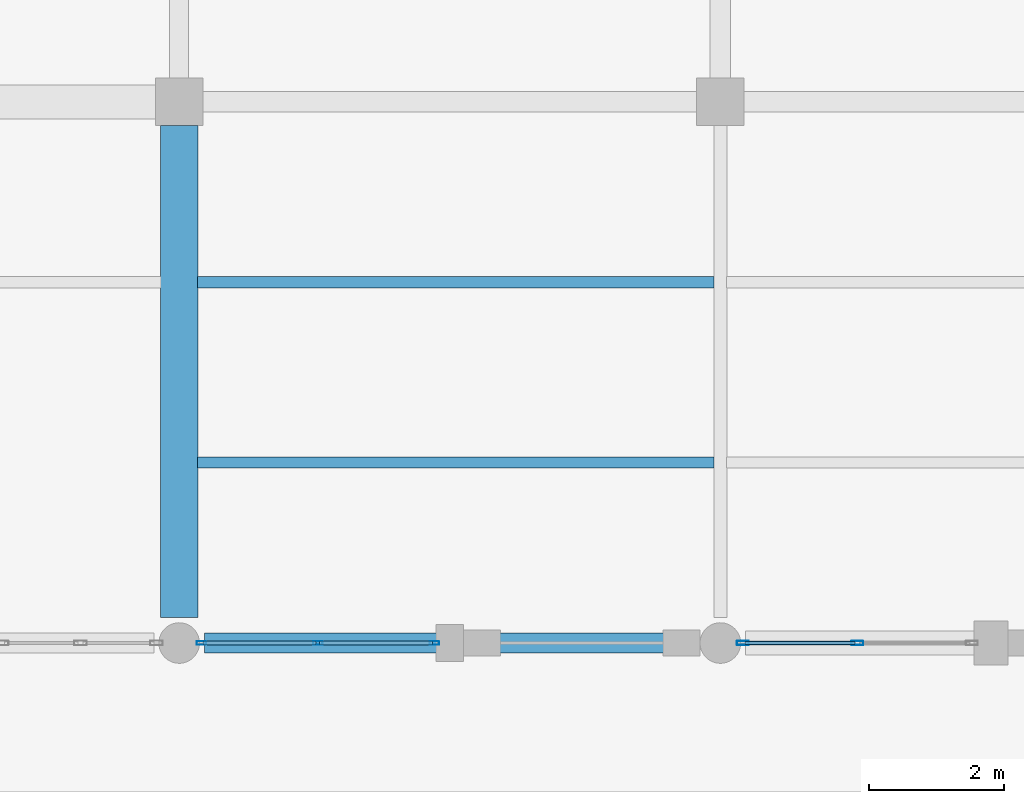
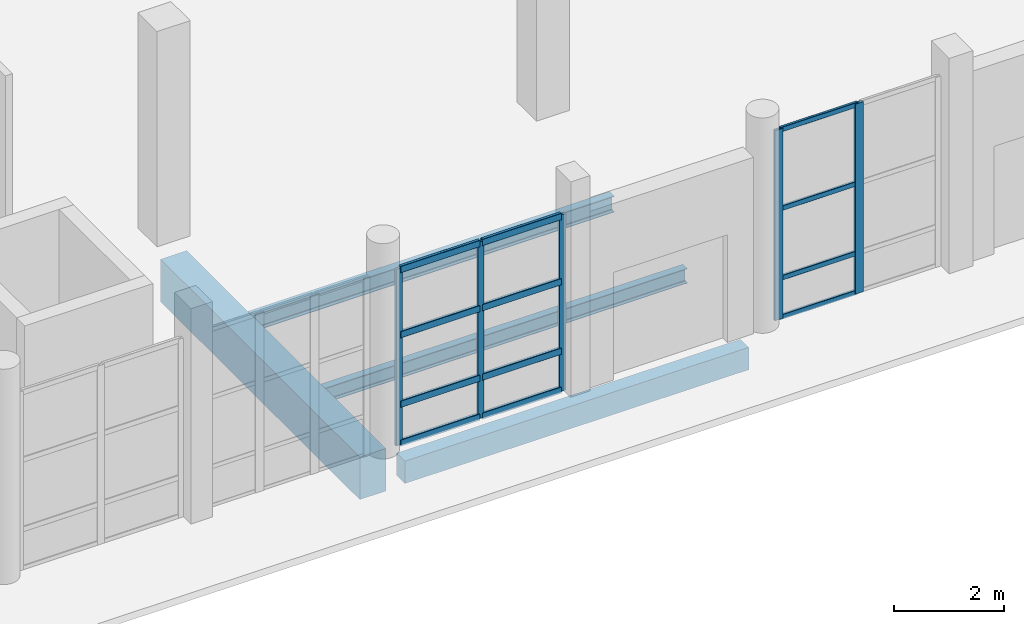
# One storey, part 7 of 156: 17 members, 4 beams, 2 elements without a shape of their own.
"""IFC4 building model written with IfcOpenShell, lengths in metres."""

from ifc_helpers import new_model, si_unit, direction, frame, origin, origin_2d, place, context, subcontext, project, spatial, rectangle, hollow_rectangle, i_section, extrude, material, material_profile, profile_set, type_object, element, aggregate, save


model = new_model("IFC4")

# Units and contexts
model_context = context("Model", 3, precision=1e-05, world=origin(), true_north=direction((0.0, 1.0)))
body_context = subcontext(model_context, "Body", "Model", "MODEL_VIEW")
ifc_project = project(units=[si_unit("LENGTHUNIT", "METRE"), si_unit("AREAUNIT", "SQUARE_METRE"), si_unit("VOLUMEUNIT", "CUBIC_METRE"), si_unit("PLANEANGLEUNIT", "RADIAN"), si_unit("MASSUNIT", "GRAM", prefix="KILO")], contexts=[model_context])

# Site, building, storey
site_placement = place(None, origin())
site = spatial("IfcSite", under=ifc_project, at=site_placement, CompositionType="ELEMENT")
building_placement = place(site_placement, origin())
building = spatial("IfcBuilding", under=site, at=building_placement, Name="Luwemba Playhouse", CompositionType="ELEMENT")
storey_placement = place(building_placement, origin())
storey = spatial("IfcBuildingStorey", under=building, at=storey_placement, Name="L00", CompositionType="ELEMENT", Elevation=0.0)

# Beams
ifc_material_1 = material(Name="Concrete C40/50", Category="concrete")
ifc_material_profile_1 = material_profile(ifc_material_1, rectangle(XDim=0.550048828125, YDim=0.949951171875, at=origin_2d()))
ifc_profile_set_1 = profile_set([ifc_material_profile_1], Name="Concrete C40/50")
beam_type_1 = type_object("IfcBeamType", Name="BM-RB08", PredefinedType="BEAM", material=ifc_profile_set_1)
beam_1_placement = place(storey_placement, frame((20.0, 3.375, -0.77490234375), z_axis=(0.0, 1.0, 0.0), x_axis=(-1.0, 0.0, 0.0)))
element("IfcBeam", 1, at=beam_1_placement, inside=storey, type_object=beam_type_1, Name="L00 transverse girder 0184", PredefinedType="BEAM", context=body_context, shape_type="SweptSolid", body=[
    extrude(rectangle(XDim=0.550048828125, YDim=0.949951171875, at=origin_2d()), origin(), (0.0, 0.0, 1.0), 7.27490234375),
])
ifc_material_2 = material(Name="Steel S355", Category="steel")
ifc_material_profile_2 = material_profile(ifc_material_2, i_section(OverallWidth=0.159912109375, OverallDepth=0.330078125, WebThickness=0.007568359375, FlangeThickness=0.011474609375, FilletRadius=0.01806640625, at=origin_2d()))
ifc_profile_set_2 = profile_set([ifc_material_profile_2], Name="Steel S355")
beam_type_2 = type_object("IfcBeamType", Name="BM-SJ06", PredefinedType="JOIST", material=ifc_profile_set_2)
beam_2_placement = place(storey_placement, frame((20.27099609375, 5.666748046875, -0.465087890625), z_axis=(1.0, 0.0, 0.0), x_axis=(0.0, 1.0, 0.0)))
element("IfcBeam", 2, at=beam_2_placement, inside=storey, type_object=beam_type_2, Name="L00 composite floor joist 0128", PredefinedType="JOIST", context=body_context, shape_type="SweptSolid", body=[
    extrude(i_section(OverallWidth=0.159912109375, OverallDepth=0.330078125, WebThickness=0.007568359375, FlangeThickness=0.011474609375, FilletRadius=0.01806640625, at=origin_2d()), origin(), (0.0, 0.0, 1.0), 7.637939453125),
])
ifc_material_profile_3 = material_profile(ifc_material_2, i_section(OverallWidth=0.169921875, OverallDepth=0.360107421875, WebThickness=0.008056640625, FlangeThickness=0.0126953125, FilletRadius=0.01806640625, at=origin_2d()))
ifc_profile_set_3 = profile_set([ifc_material_profile_3], Name="Steel S355")
beam_type_3 = type_object("IfcBeamType", Name="BM-SJ07", PredefinedType="JOIST", material=ifc_profile_set_3)
beam_3_placement = place(storey_placement, frame((20.27099609375, 8.333251953125, -0.47998046875), z_axis=(1.0, 0.0, 0.0), x_axis=(0.0, 1.0, 0.0)))
element("IfcBeam", 3, at=beam_3_placement, inside=storey, type_object=beam_type_3, Name="L00 composite floor joist 0129", PredefinedType="JOIST", context=body_context, shape_type="SweptSolid", body=[
    extrude(i_section(OverallWidth=0.169921875, OverallDepth=0.360107421875, WebThickness=0.008056640625, FlangeThickness=0.0126953125, FilletRadius=0.01806640625, at=origin_2d()), origin(), (0.0, 0.0, 1.0), 7.637939453125),
])
ifc_material_profile_4 = material_profile(ifc_material_1, rectangle(XDim=0.300048828125, YDim=0.5, at=origin_2d()))
ifc_profile_set_4 = profile_set([ifc_material_profile_4], Name="Concrete C40/50")
beam_type_4 = type_object("IfcBeamType", Name="BM-SP1", PredefinedType="SPANDREL", material=ifc_profile_set_4)
beam_4_placement = place(storey_placement, frame((20.375, 3.0, -0.550048828125), z_axis=(1.0, 0.0, 0.0), x_axis=(0.0, 1.0, 0.0)))
element("IfcBeam", 4, at=beam_4_placement, inside=storey, type_object=beam_type_4, Name="L00 grid girder 0152", PredefinedType="SPANDREL", context=body_context, shape_type="SweptSolid", body=[
    extrude(rectangle(XDim=0.300048828125, YDim=0.5, at=origin_2d()), origin(), (0.0, 0.0, 1.0), 7.25),
])

# Curtain wall, members
ifc_material_3 = material(Name="Solar-control double glazing", Category="glass")
curtain_wall_type_1 = type_object("IfcCurtainWallType", Name="CW-CW29", PredefinedType="USERDEFINED", material=ifc_material_3)
curtain_wall_1_placement = place(storey_placement, origin())
curtain_wall_1 = element("IfcCurtainWall", 5, at=curtain_wall_1_placement, inside=storey, type_object=curtain_wall_type_1, Name="L00 V5W unitised curtain wall 048", ObjectType="UNITISED GLAZING", PredefinedType="USERDEFINED")
ifc_material_4 = material(Name="Aluminium 6063-T6", Category="aluminium")
ifc_material_profile_5 = material_profile(ifc_material_4, hollow_rectangle(XDim=0.06494140625, YDim=0.179931640625, WallThickness=0.00439453125, InnerFilletRadius=0.0068359375, OuterFilletRadius=0.01123046875, at=origin_2d()))
ifc_profile_set_5 = profile_set([ifc_material_profile_5], Name="Aluminium 6063-T6")
member_type_1 = type_object("IfcMemberType", Name="CWM-M2", PredefinedType="MULLION", material=ifc_profile_set_5)
member_1_placement = place(storey_placement, frame((30.02490234375, 3.0, 0.0), z_axis=(0.0, 0.0, 1.0), x_axis=(0.0, -1.0, 0.0)))
member_1 = element("IfcMember", 6, at=member_1_placement, type_object=member_type_1, Name="CW29 mullion 2", PredefinedType="MULLION", context=body_context, shape_type="SweptSolid", body=[
    extrude(hollow_rectangle(XDim=0.06494140625, YDim=0.179931640625, WallThickness=0.00439453125, InnerFilletRadius=0.0068359375, OuterFilletRadius=0.01123046875, at=origin_2d()), origin(), (0.0, 0.0, 1.0), 4.235107421875),
])
member_2_placement = place(storey_placement, frame((28.33251953125, 3.0, 0.0), z_axis=(0.0, 0.0, 1.0), x_axis=(0.0, -1.0, 0.0)))
member_2 = element("IfcMember", 7, at=member_2_placement, type_object=member_type_1, Name="CW29 mullion 3", PredefinedType="MULLION", context=body_context, shape_type="SweptSolid", body=[
    extrude(hollow_rectangle(XDim=0.06494140625, YDim=0.179931640625, WallThickness=0.00439453125, InnerFilletRadius=0.0068359375, OuterFilletRadius=0.01123046875, at=origin_2d()), origin(), (0.0, 0.0, 1.0), 4.235107421875),
])

curtain_wall_type_2 = type_object("IfcCurtainWallType", Name="CW-CW34", PredefinedType="USERDEFINED", material=ifc_material_3)
curtain_wall_2_placement = place(storey_placement, origin())
curtain_wall_2 = element("IfcCurtainWall", 8, at=curtain_wall_2_placement, inside=storey, type_object=curtain_wall_type_2, Name="L00 V5W unitised curtain wall 049", ObjectType="UNITISED GLAZING", PredefinedType="USERDEFINED")
ifc_material_profile_6 = material_profile(ifc_material_4, hollow_rectangle(XDim=0.054931640625, YDim=0.139892578125, WallThickness=0.00390625, InnerFilletRadius=0.006103515625, OuterFilletRadius=0.010009765625, at=origin_2d()))
ifc_profile_set_6 = profile_set([ifc_material_profile_6], Name="Aluminium 6063-T6")
member_type_2 = type_object("IfcMemberType", Name="CWM-M3", PredefinedType="MULLION", material=ifc_profile_set_6)
member_3_placement = place(storey_placement, frame((23.7724609375, 3.0, 0.0), z_axis=(0.0, 0.0, 1.0), x_axis=(0.0, -1.0, 0.0)))
member_3 = element("IfcMember", 9, at=member_3_placement, type_object=member_type_2, Name="CW34 mullion 1", PredefinedType="MULLION", context=body_context, shape_type="SweptSolid", body=[
    extrude(hollow_rectangle(XDim=0.054931640625, YDim=0.139892578125, WallThickness=0.00390625, InnerFilletRadius=0.006103515625, OuterFilletRadius=0.010009765625, at=origin_2d()), origin(), (0.0, 0.0, 1.0), 3.93505859375),
])
member_4_placement = place(storey_placement, frame((22.050048828125, 3.0, 0.0), z_axis=(0.0, 0.0, 1.0), x_axis=(0.0, -1.0, 0.0)))
member_4 = element("IfcMember", 10, at=member_4_placement, type_object=member_type_2, Name="CW34 mullion 2", PredefinedType="MULLION", context=body_context, shape_type="SweptSolid", body=[
    extrude(hollow_rectangle(XDim=0.054931640625, YDim=0.139892578125, WallThickness=0.00390625, InnerFilletRadius=0.006103515625, OuterFilletRadius=0.010009765625, at=origin_2d()), origin(), (0.0, 0.0, 1.0), 3.93505859375),
])
member_5_placement = place(storey_placement, frame((20.327392578125, 3.0, 0.0), z_axis=(0.0, 0.0, 1.0), x_axis=(0.0, -1.0, 0.0)))
member_5 = element("IfcMember", 11, at=member_5_placement, type_object=member_type_2, Name="CW34 mullion 3", PredefinedType="MULLION", context=body_context, shape_type="SweptSolid", body=[
    extrude(hollow_rectangle(XDim=0.054931640625, YDim=0.139892578125, WallThickness=0.00390625, InnerFilletRadius=0.006103515625, OuterFilletRadius=0.010009765625, at=origin_2d()), origin(), (0.0, 0.0, 1.0), 3.93505859375),
])

# Member
ifc_material_profile_7 = material_profile(ifc_material_4, hollow_rectangle(XDim=0.054931640625, YDim=0.110107421875, WallThickness=0.00341796875, InnerFilletRadius=0.00537109375, OuterFilletRadius=0.0087890625, at=origin_2d()))
ifc_profile_set_7 = profile_set([ifc_material_profile_7], Name="Aluminium 6063-T6")
member_type_3 = type_object("IfcMemberType", Name="CWT-T2", PredefinedType="USERDEFINED", material=ifc_profile_set_7)
member_6_placement = place(storey_placement, frame((29.992431640625, 3.0, 0.027587890625), z_axis=(-1.0, 0.0, 0.0), x_axis=(0.0, -1.0, 0.0)))
member_6 = element("IfcMember", 12, at=member_6_placement, type_object=member_type_3, Name="CW29 transom 2.1", ObjectType="TRANSOM", PredefinedType="USERDEFINED", context=body_context, shape_type="SweptSolid", body=[
    extrude(hollow_rectangle(XDim=0.054931640625, YDim=0.110107421875, WallThickness=0.00341796875, InnerFilletRadius=0.00537109375, OuterFilletRadius=0.0087890625, at=origin_2d()), origin(), (0.0, 0.0, 1.0), 1.62744140625),
])

member_7_placement = place(storey_placement, frame((29.992431640625, 3.0, 0.89990234375), z_axis=(-1.0, 0.0, 0.0), x_axis=(0.0, -1.0, 0.0)))
member_7 = element("IfcMember", 13, at=member_7_placement, type_object=member_type_3, Name="CW29 transom 2.2", ObjectType="TRANSOM", PredefinedType="USERDEFINED", context=body_context, shape_type="SweptSolid", body=[
    extrude(hollow_rectangle(XDim=0.054931640625, YDim=0.110107421875, WallThickness=0.00341796875, InnerFilletRadius=0.00537109375, OuterFilletRadius=0.0087890625, at=origin_2d()), origin(), (0.0, 0.0, 1.0), 1.62744140625),
])

member_8_placement = place(storey_placement, frame((29.992431640625, 3.0, 2.449951171875), z_axis=(-1.0, 0.0, 0.0), x_axis=(0.0, -1.0, 0.0)))
member_8 = element("IfcMember", 14, at=member_8_placement, type_object=member_type_3, Name="CW29 transom 2.3", ObjectType="TRANSOM", PredefinedType="USERDEFINED", context=body_context, shape_type="SweptSolid", body=[
    extrude(hollow_rectangle(XDim=0.054931640625, YDim=0.110107421875, WallThickness=0.00341796875, InnerFilletRadius=0.00537109375, OuterFilletRadius=0.0087890625, at=origin_2d()), origin(), (0.0, 0.0, 1.0), 1.62744140625),
])

member_9_placement = place(storey_placement, frame((29.992431640625, 3.0, 4.20751953125), z_axis=(-1.0, 0.0, 0.0), x_axis=(0.0, -1.0, 0.0)))
member_9 = element("IfcMember", 15, at=member_9_placement, type_object=member_type_3, Name="CW29 transom 2.4", ObjectType="TRANSOM", PredefinedType="USERDEFINED", context=body_context, shape_type="SweptSolid", body=[
    extrude(hollow_rectangle(XDim=0.054931640625, YDim=0.110107421875, WallThickness=0.00341796875, InnerFilletRadius=0.00537109375, OuterFilletRadius=0.0087890625, at=origin_2d()), origin(), (0.0, 0.0, 1.0), 1.62744140625),
])

aggregate(curtain_wall_1, [member_1, member_2, member_6, member_7, member_8, member_9])

ifc_material_profile_8 = material_profile(ifc_material_4, hollow_rectangle(XDim=0.06494140625, YDim=0.14990234375, WallThickness=0.00390625, InnerFilletRadius=0.006103515625, OuterFilletRadius=0.010009765625, at=origin_2d()))
ifc_profile_set_8 = profile_set([ifc_material_profile_8], Name="Aluminium 6063-T6")
member_type_4 = type_object("IfcMemberType", Name="CWT-T3", PredefinedType="USERDEFINED", material=ifc_profile_set_8)
member_10_placement = place(storey_placement, frame((23.7451171875, 3.0, 0.032470703125), z_axis=(-1.0, 0.0, 0.0), x_axis=(0.0, -1.0, 0.0)))
member_10 = element("IfcMember", 16, at=member_10_placement, type_object=member_type_4, Name="CW34 transom 1.1", ObjectType="TRANSOM", PredefinedType="USERDEFINED", context=body_context, shape_type="SweptSolid", body=[
    extrude(hollow_rectangle(XDim=0.06494140625, YDim=0.14990234375, WallThickness=0.00390625, InnerFilletRadius=0.006103515625, OuterFilletRadius=0.010009765625, at=origin_2d()), origin(), (0.0, 0.0, 1.0), 1.667724609375),
])

member_11_placement = place(storey_placement, frame((23.7451171875, 3.0, 0.89990234375), z_axis=(-1.0, 0.0, 0.0), x_axis=(0.0, -1.0, 0.0)))
member_11 = element("IfcMember", 17, at=member_11_placement, type_object=member_type_4, Name="CW34 transom 1.2", ObjectType="TRANSOM", PredefinedType="USERDEFINED", context=body_context, shape_type="SweptSolid", body=[
    extrude(hollow_rectangle(XDim=0.06494140625, YDim=0.14990234375, WallThickness=0.00390625, InnerFilletRadius=0.006103515625, OuterFilletRadius=0.010009765625, at=origin_2d()), origin(), (0.0, 0.0, 1.0), 1.667724609375),
])

member_12_placement = place(storey_placement, frame((23.7451171875, 3.0, 2.449951171875), z_axis=(-1.0, 0.0, 0.0), x_axis=(0.0, -1.0, 0.0)))
member_12 = element("IfcMember", 18, at=member_12_placement, type_object=member_type_4, Name="CW34 transom 1.3", ObjectType="TRANSOM", PredefinedType="USERDEFINED", context=body_context, shape_type="SweptSolid", body=[
    extrude(hollow_rectangle(XDim=0.06494140625, YDim=0.14990234375, WallThickness=0.00390625, InnerFilletRadius=0.006103515625, OuterFilletRadius=0.010009765625, at=origin_2d()), origin(), (0.0, 0.0, 1.0), 1.667724609375),
])

member_13_placement = place(storey_placement, frame((23.7451171875, 3.0, 3.902587890625), z_axis=(-1.0, 0.0, 0.0), x_axis=(0.0, -1.0, 0.0)))
member_13 = element("IfcMember", 19, at=member_13_placement, type_object=member_type_4, Name="CW34 transom 1.4", ObjectType="TRANSOM", PredefinedType="USERDEFINED", context=body_context, shape_type="SweptSolid", body=[
    extrude(hollow_rectangle(XDim=0.06494140625, YDim=0.14990234375, WallThickness=0.00390625, InnerFilletRadius=0.006103515625, OuterFilletRadius=0.010009765625, at=origin_2d()), origin(), (0.0, 0.0, 1.0), 1.667724609375),
])

member_14_placement = place(storey_placement, frame((22.0224609375, 3.0, 0.032470703125), z_axis=(-1.0, 0.0, 0.0), x_axis=(0.0, -1.0, 0.0)))
member_14 = element("IfcMember", 20, at=member_14_placement, type_object=member_type_4, Name="CW34 transom 2.1", ObjectType="TRANSOM", PredefinedType="USERDEFINED", context=body_context, shape_type="SweptSolid", body=[
    extrude(hollow_rectangle(XDim=0.06494140625, YDim=0.14990234375, WallThickness=0.00390625, InnerFilletRadius=0.006103515625, OuterFilletRadius=0.010009765625, at=origin_2d()), origin(), (0.0, 0.0, 1.0), 1.66748046875),
])

member_15_placement = place(storey_placement, frame((22.0224609375, 3.0, 0.89990234375), z_axis=(-1.0, 0.0, 0.0), x_axis=(0.0, -1.0, 0.0)))
member_15 = element("IfcMember", 21, at=member_15_placement, type_object=member_type_4, Name="CW34 transom 2.2", ObjectType="TRANSOM", PredefinedType="USERDEFINED", context=body_context, shape_type="SweptSolid", body=[
    extrude(hollow_rectangle(XDim=0.06494140625, YDim=0.14990234375, WallThickness=0.00390625, InnerFilletRadius=0.006103515625, OuterFilletRadius=0.010009765625, at=origin_2d()), origin(), (0.0, 0.0, 1.0), 1.66748046875),
])

member_16_placement = place(storey_placement, frame((22.0224609375, 3.0, 2.449951171875), z_axis=(-1.0, 0.0, 0.0), x_axis=(0.0, -1.0, 0.0)))
member_16 = element("IfcMember", 22, at=member_16_placement, type_object=member_type_4, Name="CW34 transom 2.3", ObjectType="TRANSOM", PredefinedType="USERDEFINED", context=body_context, shape_type="SweptSolid", body=[
    extrude(hollow_rectangle(XDim=0.06494140625, YDim=0.14990234375, WallThickness=0.00390625, InnerFilletRadius=0.006103515625, OuterFilletRadius=0.010009765625, at=origin_2d()), origin(), (0.0, 0.0, 1.0), 1.66748046875),
])

member_17_placement = place(storey_placement, frame((22.0224609375, 3.0, 3.902587890625), z_axis=(-1.0, 0.0, 0.0), x_axis=(0.0, -1.0, 0.0)))
member_17 = element("IfcMember", 23, at=member_17_placement, type_object=member_type_4, Name="CW34 transom 2.4", ObjectType="TRANSOM", PredefinedType="USERDEFINED", context=body_context, shape_type="SweptSolid", body=[
    extrude(hollow_rectangle(XDim=0.06494140625, YDim=0.14990234375, WallThickness=0.00390625, InnerFilletRadius=0.006103515625, OuterFilletRadius=0.010009765625, at=origin_2d()), origin(), (0.0, 0.0, 1.0), 1.66748046875),
])

aggregate(curtain_wall_2, [member_3, member_4, member_5, member_10, member_11, member_12, member_13, member_14, member_15, member_16, member_17])

save(model, "model.ifc")
